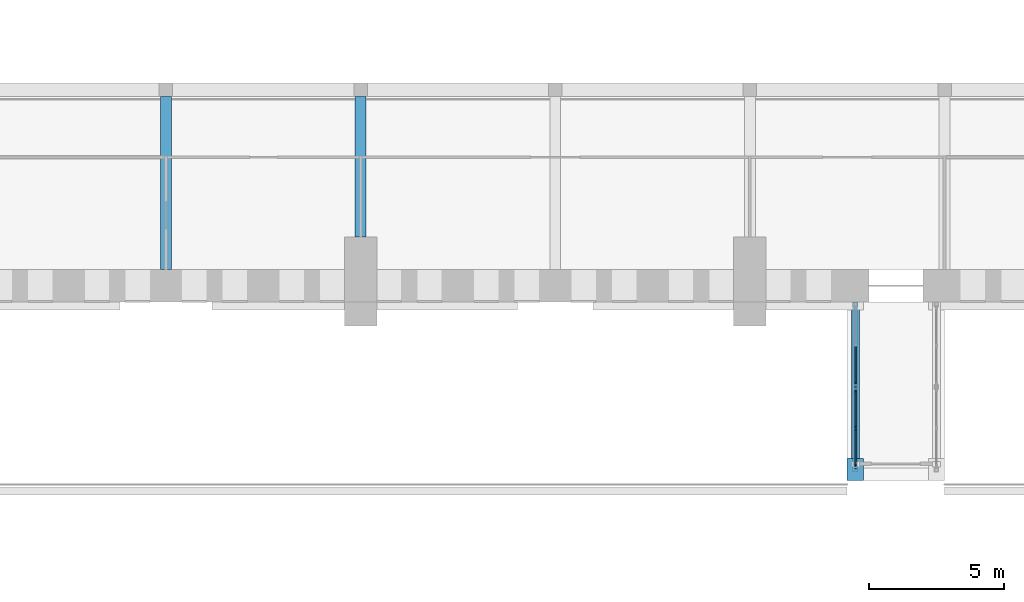
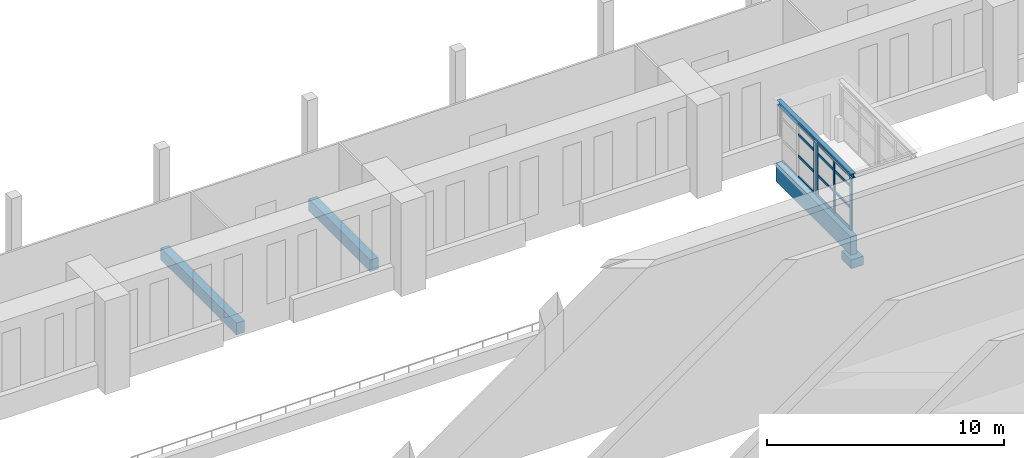
# One storey, part 36 of 131: 16 members, 5 beams, 2 elements without a shape of their own.
"""IFC4 building model written with IfcOpenShell, lengths in metres."""

from ifc_helpers import new_model, si_unit, direction, frame, origin, origin_2d, place, context, subcontext, project, spatial, rectangle, i_section, extrude, material, layer, layer_set, material_profile, profile_set, type_object, element, aggregate, save


model = new_model("IFC4")

# Units and contexts
model_context = context("Model", 3, precision=1e-05, world=origin(), true_north=direction((0.0, 1.0)))
body_context = subcontext(model_context, "Body", "Model", "MODEL_VIEW")
ifc_project = project(units=[si_unit("LENGTHUNIT", "METRE"), si_unit("AREAUNIT", "SQUARE_METRE"), si_unit("VOLUMEUNIT", "CUBIC_METRE"), si_unit("PLANEANGLEUNIT", "RADIAN"), si_unit("MASSUNIT", "GRAM", prefix="KILO")], contexts=[model_context])

# Site, building, storey
site_placement = place(None, origin())
site = spatial("IfcSite", under=ifc_project, at=site_placement, CompositionType="ELEMENT")
building_placement = place(site_placement, origin())
building = spatial("IfcBuilding", under=site, at=building_placement, Name="Alderwick Market Hall", CompositionType="ELEMENT")
storey_placement = place(building_placement, frame((0.0, 0.0, 4.800048828125)))
storey = spatial("IfcBuildingStorey", under=building, at=storey_placement, Name="L00", CompositionType="ELEMENT", Elevation=4.800048828125)

# Beams
ifc_material_1 = material(Name="Concrete 5000 psi (f'c 35 MPa)", Category="concrete")
ifc_material_profile_1 = material_profile(ifc_material_1, rectangle(XDim=0.39990234375, YDim=0.60009765625, at=origin_2d()), Name="RC 400x600")
ifc_profile_set_1 = profile_set([ifc_material_profile_1], Name="Concrete 5000 psi (f'c 35 MPa)")
beam_type_1 = type_object("IfcBeamType", Name="H Gallery beam 400x600", PredefinedType="BEAM", material=ifc_profile_set_1)
beam_1_placement = place(storey_placement, frame((100.800048828125, 51.0, -0.550048828125), z_axis=(0.0, 1.0, 0.0), x_axis=(-1.0, 0.0, 0.0)))
element("IfcBeam", 1, at=beam_1_placement, inside=storey, type_object=beam_type_1, Name="Gallery beam S", PredefinedType="BEAM", context=body_context, shape_type="SweptSolid", body=[
    extrude(rectangle(XDim=0.39990234375, YDim=0.60009765625, at=origin_2d()), origin(), (0.0, 0.0, 1.0), 6.389892578125),
])
beam_2_placement = place(storey_placement, frame((108.0, 52.199951171875, -0.550048828125), z_axis=(0.0, 1.0, 0.0), x_axis=(-1.0, 0.0, 0.0)))
element("IfcBeam", 2, at=beam_2_placement, inside=storey, type_object=beam_type_1, Name="Gallery beam S", PredefinedType="BEAM", context=body_context, shape_type="SweptSolid", body=[
    extrude(rectangle(XDim=0.39990234375, YDim=0.60009765625, at=origin_2d()), origin(), (0.0, 0.0, 1.0), 5.18994140625),
])

# Curtain wall, members
ifc_material_2 = material(Name="Aluminium frame", Category="aluminium")
ifc_layer = layer(ifc_material_2, 0.10009765625)
ifc_layer_set = layer_set([ifc_layer], Name="Aluminium frame")
curtain_wall_type = type_object("IfcCurtainWallType", Name="P Curtain Wall 100", PredefinedType="NOTDEFINED", material=ifc_layer_set)
curtain_wall_1_placement = place(storey_placement, origin())
curtain_wall_1 = element("IfcCurtainWall", 3, at=curtain_wall_1_placement, inside=storey, type_object=curtain_wall_type, Name="P.P4.cw.a0", PredefinedType="NOTDEFINED")
ifc_material_profile_2 = material_profile(ifc_material_2, rectangle(XDim=0.06005859375, YDim=0.159912109375, at=origin_2d()), Name="P Mullion 60x160")
ifc_profile_set_2 = profile_set([ifc_material_profile_2], Name="Aluminium frame")
member_type_1 = type_object("IfcMemberType", Name="P Mullion 60x160", PredefinedType="MULLION", material=ifc_profile_set_2)
member_1_placement = place(storey_placement, frame((126.300048828125, 43.7060546875, 0.0), z_axis=(0.0, 0.0, 1.0), x_axis=(-1.0, 0.0, 0.0)))
member_1 = element("IfcMember", 4, at=member_1_placement, type_object=member_type_1, Name="P-CW4a0 mullion 1", PredefinedType="MULLION", context=body_context, shape_type="SweptSolid", body=[
    extrude(rectangle(XDim=0.06005859375, YDim=0.159912109375, at=origin_2d()), origin(), (0.0, 0.0, 1.0), 2.7529296875),
])
member_2_placement = place(storey_placement, frame((126.300048828125, 45.125, 0.0), z_axis=(0.0, 0.0, 1.0), x_axis=(-1.0, 0.0, 0.0)))
member_2 = element("IfcMember", 5, at=member_2_placement, type_object=member_type_1, Name="P-CW4a0 mullion 2", PredefinedType="MULLION", context=body_context, shape_type="SweptSolid", body=[
    extrude(rectangle(XDim=0.06005859375, YDim=0.159912109375, at=origin_2d()), origin(), (0.0, 0.0, 1.0), 2.7529296875),
])
member_3_placement = place(storey_placement, frame((126.300048828125, 46.5439453125, 0.0), z_axis=(0.0, 0.0, 1.0), x_axis=(-1.0, 0.0, 0.0)))
member_3 = element("IfcMember", 6, at=member_3_placement, type_object=member_type_1, Name="P-CW4a0 mullion 3", PredefinedType="MULLION", context=body_context, shape_type="SweptSolid", body=[
    extrude(rectangle(XDim=0.06005859375, YDim=0.159912109375, at=origin_2d()), origin(), (0.0, 0.0, 1.0), 2.7529296875),
])

# Curtain wall, member
curtain_wall_2_placement = place(storey_placement, origin())
curtain_wall_2 = element("IfcCurtainWall", 7, at=curtain_wall_2_placement, inside=storey, type_object=curtain_wall_type, Name="P.P4.cw.a1", PredefinedType="NOTDEFINED")
member_4_placement = place(storey_placement, frame((126.300048828125, 46.756103515625, 0.0), z_axis=(0.0, 0.0, 1.0), x_axis=(-1.0, 0.0, 0.0)))
member_4 = element("IfcMember", 8, at=member_4_placement, type_object=member_type_1, Name="P-CW4a1 mullion 1", PredefinedType="MULLION", context=body_context, shape_type="SweptSolid", body=[
    extrude(rectangle(XDim=0.06005859375, YDim=0.159912109375, at=origin_2d()), origin(), (0.0, 0.0, 1.0), 2.7529296875),
])

# Beams
ifc_material_profile_3 = material_profile(ifc_material_1, rectangle(XDim=0.60009765625, YDim=0.449951171875, at=origin_2d()), Name="P RC Bearing Corbel 600x450")
ifc_profile_set_3 = profile_set([ifc_material_profile_3], Name="Concrete 5000 psi (f'c 35 MPa)")
beam_type_2 = type_object("IfcBeamType", Name="P RC Bearing Corbel 600x450", PredefinedType="USERDEFINED", material=ifc_profile_set_3)
beam_3_placement = place(storey_placement, frame((126.300048828125, 44.0, -1.39306640625), z_axis=(0.0, -1.0, 0.0), x_axis=(1.0, 0.0, 0.0)))
element("IfcBeam", 9, at=beam_3_placement, inside=storey, type_object=beam_type_2, Name="Bearing corbel", ObjectType="CORBEL", PredefinedType="USERDEFINED", context=body_context, shape_type="SweptSolid", body=[
    extrude(rectangle(XDim=0.60009765625, YDim=0.449951171875, at=origin_2d()), origin(), (0.0, 0.0, 1.0), 0.800048828125),
])
ifc_material_profile_4 = material_profile(ifc_material_1, rectangle(XDim=0.300048828125, YDim=0.949951171875, at=origin_2d()), Name="P RC Edge Girder 300x950")
ifc_profile_set_4 = profile_set([ifc_material_profile_4], Name="Concrete 5000 psi (f'c 35 MPa)")
beam_type_3 = type_object("IfcBeamType", Name="P RC Edge Girder 300x950", PredefinedType="BEAM", material=ifc_profile_set_4)
beam_4_placement = place(storey_placement, frame((126.300048828125, 43.5, -0.675048828125), z_axis=(0.0, 1.0, 0.0), x_axis=(-1.0, 0.0, 0.0)))
element("IfcBeam", 10, at=beam_4_placement, inside=storey, type_object=beam_type_3, Name="P.P4.girder.a", PredefinedType="BEAM", context=body_context, shape_type="SweptSolid", body=[
    extrude(rectangle(XDim=0.300048828125, YDim=0.949951171875, at=origin_2d()), origin(), (0.0, 0.0, 1.0), 6.300048828125),
])
ifc_material_3 = material(Name="Steel ASTM A992 Grade 50", Category="steel")
ifc_material_profile_5 = material_profile(ifc_material_3, i_section(OverallWidth=0.201904296875, OverallDepth=0.2470703125, WebThickness=0.00732421875, FlangeThickness=0.010986328125, at=origin_2d()), Name="W250x49")
ifc_profile_set_5 = profile_set([ifc_material_profile_5], Name="Steel ASTM A992 Grade 50")
beam_type_4 = type_object("IfcBeamType", Name="P Roof Beam W250x49", PredefinedType="BEAM", material=ifc_profile_set_5)
beam_5_placement = place(storey_placement, frame((126.300048828125, 43.5, 2.87646484375), z_axis=(0.0, 1.0, 0.0), x_axis=(-1.0, 0.0, 0.0)))
element("IfcBeam", 11, at=beam_5_placement, inside=storey, type_object=beam_type_4, Name="P.P4.rbeam.a", PredefinedType="BEAM", context=body_context, shape_type="SweptSolid", body=[
    extrude(i_section(OverallWidth=0.201904296875, OverallDepth=0.2470703125, WebThickness=0.00732421875, FlangeThickness=0.010986328125, at=origin_2d()), origin(), (0.0, 0.0, 1.0), 6.300048828125),
])

# Member
ifc_material_profile_6 = material_profile(ifc_material_2, rectangle(XDim=0.06005859375, YDim=0.1201171875, at=origin_2d()), Name="P Transom 60x120")
ifc_profile_set_6 = profile_set([ifc_material_profile_6], Name="Aluminium frame")
member_type_2 = type_object("IfcMemberType", Name="P Transom 60x120", PredefinedType="USERDEFINED", material=ifc_profile_set_6)
member_5_placement = place(storey_placement, frame((126.300048828125, 43.736083984375, 0.030029296875), z_axis=(0.0, 1.0, 0.0), x_axis=(-1.0, 0.0, 0.0)))
member_5 = element("IfcMember", 12, at=member_5_placement, type_object=member_type_2, Name="P-CW4a0 transom 1.1", ObjectType="TRANSOM", PredefinedType="USERDEFINED", context=body_context, shape_type="SweptSolid", body=[
    extrude(rectangle(XDim=0.06005859375, YDim=0.1201171875, at=origin_2d()), origin(), (0.0, 0.0, 1.0), 1.35888671875),
])

member_6_placement = place(storey_placement, frame((126.300048828125, 43.736083984375, 1.099853515625), z_axis=(0.0, 1.0, 0.0), x_axis=(-1.0, 0.0, 0.0)))
member_6 = element("IfcMember", 13, at=member_6_placement, type_object=member_type_2, Name="P-CW4a0 transom 1.2", ObjectType="TRANSOM", PredefinedType="USERDEFINED", context=body_context, shape_type="SweptSolid", body=[
    extrude(rectangle(XDim=0.06005859375, YDim=0.1201171875, at=origin_2d()), origin(), (0.0, 0.0, 1.0), 1.35888671875),
])

member_7_placement = place(storey_placement, frame((126.300048828125, 43.736083984375, 2.199951171875), z_axis=(0.0, 1.0, 0.0), x_axis=(-1.0, 0.0, 0.0)))
member_7 = element("IfcMember", 14, at=member_7_placement, type_object=member_type_2, Name="P-CW4a0 transom 1.3", ObjectType="TRANSOM", PredefinedType="USERDEFINED", context=body_context, shape_type="SweptSolid", body=[
    extrude(rectangle(XDim=0.06005859375, YDim=0.1201171875, at=origin_2d()), origin(), (0.0, 0.0, 1.0), 1.35888671875),
])

member_8_placement = place(storey_placement, frame((126.300048828125, 43.736083984375, 2.722900390625), z_axis=(0.0, 1.0, 0.0), x_axis=(-1.0, 0.0, 0.0)))
member_8 = element("IfcMember", 15, at=member_8_placement, type_object=member_type_2, Name="P-CW4a0 transom 1.4", ObjectType="TRANSOM", PredefinedType="USERDEFINED", context=body_context, shape_type="SweptSolid", body=[
    extrude(rectangle(XDim=0.06005859375, YDim=0.1201171875, at=origin_2d()), origin(), (0.0, 0.0, 1.0), 1.35888671875),
])

member_9_placement = place(storey_placement, frame((126.300048828125, 45.155029296875, 0.030029296875), z_axis=(0.0, 1.0, 0.0), x_axis=(-1.0, 0.0, 0.0)))
member_9 = element("IfcMember", 16, at=member_9_placement, type_object=member_type_2, Name="P-CW4a0 transom 2.1", ObjectType="TRANSOM", PredefinedType="USERDEFINED", context=body_context, shape_type="SweptSolid", body=[
    extrude(rectangle(XDim=0.06005859375, YDim=0.1201171875, at=origin_2d()), origin(), (0.0, 0.0, 1.0), 1.35888671875),
])

member_10_placement = place(storey_placement, frame((126.300048828125, 45.155029296875, 1.099853515625), z_axis=(0.0, 1.0, 0.0), x_axis=(-1.0, 0.0, 0.0)))
member_10 = element("IfcMember", 17, at=member_10_placement, type_object=member_type_2, Name="P-CW4a0 transom 2.2", ObjectType="TRANSOM", PredefinedType="USERDEFINED", context=body_context, shape_type="SweptSolid", body=[
    extrude(rectangle(XDim=0.06005859375, YDim=0.1201171875, at=origin_2d()), origin(), (0.0, 0.0, 1.0), 1.35888671875),
])

member_11_placement = place(storey_placement, frame((126.300048828125, 45.155029296875, 2.199951171875), z_axis=(0.0, 1.0, 0.0), x_axis=(-1.0, 0.0, 0.0)))
member_11 = element("IfcMember", 18, at=member_11_placement, type_object=member_type_2, Name="P-CW4a0 transom 2.3", ObjectType="TRANSOM", PredefinedType="USERDEFINED", context=body_context, shape_type="SweptSolid", body=[
    extrude(rectangle(XDim=0.06005859375, YDim=0.1201171875, at=origin_2d()), origin(), (0.0, 0.0, 1.0), 1.35888671875),
])

member_12_placement = place(storey_placement, frame((126.300048828125, 45.155029296875, 2.722900390625), z_axis=(0.0, 1.0, 0.0), x_axis=(-1.0, 0.0, 0.0)))
member_12 = element("IfcMember", 19, at=member_12_placement, type_object=member_type_2, Name="P-CW4a0 transom 2.4", ObjectType="TRANSOM", PredefinedType="USERDEFINED", context=body_context, shape_type="SweptSolid", body=[
    extrude(rectangle(XDim=0.06005859375, YDim=0.1201171875, at=origin_2d()), origin(), (0.0, 0.0, 1.0), 1.35888671875),
])

aggregate(curtain_wall_1, [member_1, member_2, member_3, member_5, member_6, member_7, member_8, member_9, member_10, member_11, member_12])

member_13_placement = place(storey_placement, frame((126.300048828125, 46.785888671875, 0.030029296875), z_axis=(0.0, 1.0, 0.0), x_axis=(-1.0, 0.0, 0.0)))
member_13 = element("IfcMember", 20, at=member_13_placement, type_object=member_type_2, Name="P-CW4a1 transom 1.1", ObjectType="TRANSOM", PredefinedType="USERDEFINED", context=body_context, shape_type="SweptSolid", body=[
    extrude(rectangle(XDim=0.06005859375, YDim=0.1201171875, at=origin_2d()), origin(), (0.0, 0.0, 1.0), 1.359130859375),
])

member_14_placement = place(storey_placement, frame((126.300048828125, 46.785888671875, 1.099853515625), z_axis=(0.0, 1.0, 0.0), x_axis=(-1.0, 0.0, 0.0)))
member_14 = element("IfcMember", 21, at=member_14_placement, type_object=member_type_2, Name="P-CW4a1 transom 1.2", ObjectType="TRANSOM", PredefinedType="USERDEFINED", context=body_context, shape_type="SweptSolid", body=[
    extrude(rectangle(XDim=0.06005859375, YDim=0.1201171875, at=origin_2d()), origin(), (0.0, 0.0, 1.0), 1.359130859375),
])

member_15_placement = place(storey_placement, frame((126.300048828125, 46.785888671875, 2.199951171875), z_axis=(0.0, 1.0, 0.0), x_axis=(-1.0, 0.0, 0.0)))
member_15 = element("IfcMember", 22, at=member_15_placement, type_object=member_type_2, Name="P-CW4a1 transom 1.3", ObjectType="TRANSOM", PredefinedType="USERDEFINED", context=body_context, shape_type="SweptSolid", body=[
    extrude(rectangle(XDim=0.06005859375, YDim=0.1201171875, at=origin_2d()), origin(), (0.0, 0.0, 1.0), 1.359130859375),
])

member_16_placement = place(storey_placement, frame((126.300048828125, 46.785888671875, 2.722900390625), z_axis=(0.0, 1.0, 0.0), x_axis=(-1.0, 0.0, 0.0)))
member_16 = element("IfcMember", 23, at=member_16_placement, type_object=member_type_2, Name="P-CW4a1 transom 1.4", ObjectType="TRANSOM", PredefinedType="USERDEFINED", context=body_context, shape_type="SweptSolid", body=[
    extrude(rectangle(XDim=0.06005859375, YDim=0.1201171875, at=origin_2d()), origin(), (0.0, 0.0, 1.0), 1.359130859375),
])

aggregate(curtain_wall_2, [member_4, member_13, member_14, member_15, member_16])

save(model, "model.ifc")
